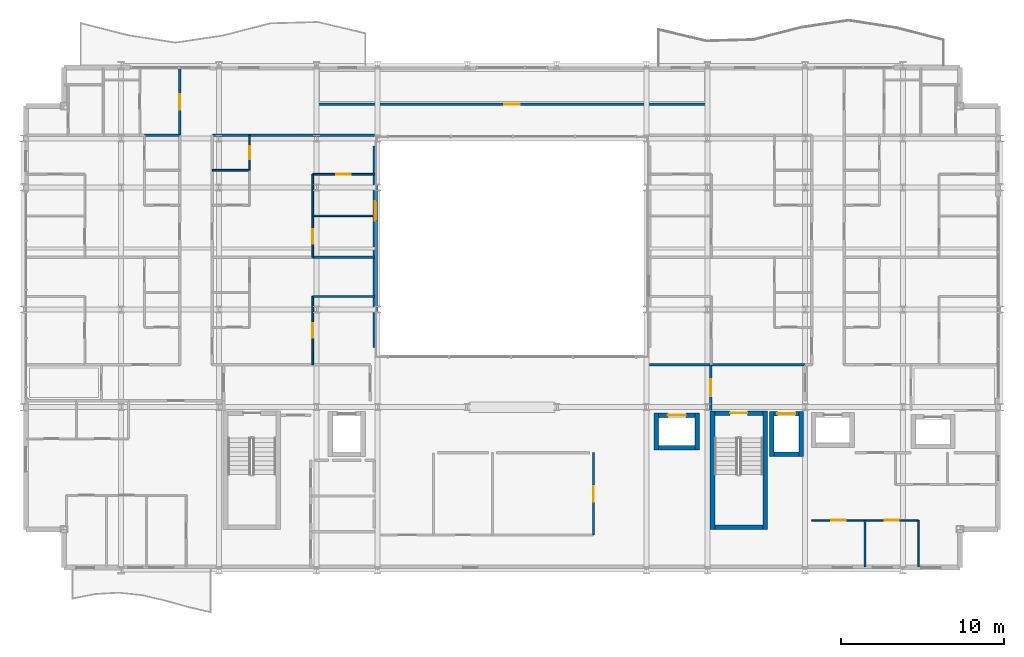
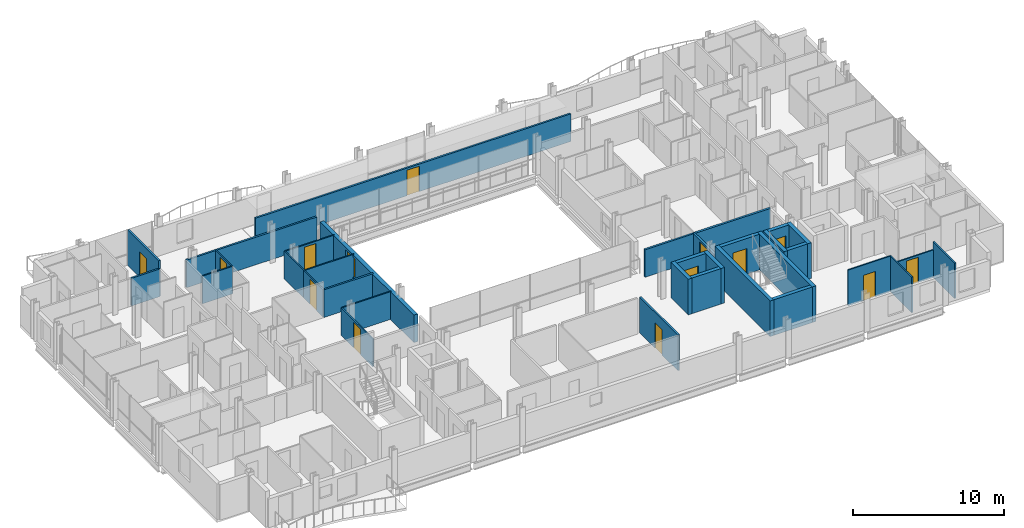
# One storey, part 34 of 40: 35 walls, 13 doors, 1 window, 14 openings.
"""IFC4 building model written with IfcOpenShell, lengths in metres."""

import ifcopenshell
import ifcopenshell.guid

model = None  # the IFC model being written
_history = None  # IfcOwnerHistory: only IFC2X3 demands one
_inside = {}  # id of a spatial element -> (the spatial element, [elements in it])
_under = {}  # id of a project, library or spatial element -> (it, [spatial elements below it])
_declared = {}  # id of a project -> (the project, [libraries it declares])
_typed = {}  # id of a type object -> (the type object, [elements of that type])
_made_of = {}  # id of a material, layer set ... -> (it, [elements and type objects made of it])


def new_model(schema):
    """Start an empty IFC model of exactly this schema.

    Asked for "IFC4X3", IfcOpenShell would pick the latest addendum, in which some entities
    have other attributes; the version numbers below select the first issue.
    IFC2X3 requires an IfcOwnerHistory on every rooted entity: one is made here for all.
    """
    global model, _history
    if schema == "IFC4X3":
        model = ifcopenshell.file(schema_version=(4, 3, 0, 0))
    else:
        model = ifcopenshell.file(schema=schema)
    _inside.clear()
    _under.clear()
    _declared.clear()
    _typed.clear()
    _made_of.clear()
    _history = None
    if model.schema == "IFC2X3":
        org = make("IfcOrganization", Name="unknown")
        user = make(
            "IfcPersonAndOrganization",
            ThePerson=make("IfcPerson", FamilyName="unknown"),
            TheOrganization=org,
        )
        app = make(
            "IfcApplication",
            ApplicationDeveloper=org,
            Version="unknown",
            ApplicationFullName="unknown",
            ApplicationIdentifier="unknown",
        )
        _history = make(
            "IfcOwnerHistory",
            OwningUser=user,
            OwningApplication=app,
            ChangeAction="ADDED",
            CreationDate=0,
        )
    return model


def make(cls, **values):
    """One entity of the class cls with the attributes given. An attribute that is None is left unset."""
    return model.create_entity(
        cls, **{name: value for name, value in values.items() if value is not None}
    )


def rooted(cls, **values):
    """An entity with a GlobalId (a new one), such as an element, a storey or a relation."""
    return make(cls, GlobalId=ifcopenshell.guid.new(), OwnerHistory=_history, **values)


def si_unit(unit_type, name, prefix=None):
    """IfcSIUnit, for example si_unit("LENGTHUNIT", "METRE", prefix="MILLI")."""
    return make("IfcSIUnit", UnitType=unit_type, Prefix=prefix, Name=name)


def assignment(units):
    """IfcUnitAssignment: the units of a project."""
    return None if units is None else make("IfcUnitAssignment", Units=units)


def point(xyz):
    """IfcCartesianPoint."""
    return None if xyz is None else make("IfcCartesianPoint", Coordinates=xyz)


def direction(xyz):
    """IfcDirection."""
    return None if xyz is None else make("IfcDirection", DirectionRatios=xyz)


def frame(location, z_axis=None, x_axis=None):
    """IfcAxis2Placement3D, a coordinate frame: its origin and axes. An axis left out is left unset."""
    return make(
        "IfcAxis2Placement3D",
        Location=point(location),
        Axis=direction(z_axis),
        RefDirection=direction(x_axis),
    )


def frame_2d(location, x_axis=None):
    """IfcAxis2Placement2D, a coordinate frame in the plane: its origin and x axis."""
    return make(
        "IfcAxis2Placement2D", Location=point(location), RefDirection=direction(x_axis)
    )


def origin():
    """The frame at (0, 0, 0) with its axes left unset."""
    return frame((0.0, 0.0, 0.0))


def place(relative_to, where):
    """IfcLocalPlacement: puts the frame where relative to a parent placement (None: the world)."""
    return make(
        "IfcLocalPlacement", PlacementRelTo=relative_to, RelativePlacement=where
    )


def context(
    kind, dimensions, precision=None, world=None, true_north=None, identifier=None
):
    """IfcGeometricRepresentationContext, for example the 3D "Model" context."""
    return make(
        "IfcGeometricRepresentationContext",
        ContextIdentifier=identifier,
        ContextType=kind,
        CoordinateSpaceDimension=dimensions,
        Precision=precision,
        WorldCoordinateSystem=world,
        TrueNorth=true_north,
    )


def subcontext(parent, identifier, kind, view, scale=None):
    """IfcGeometricRepresentationSubContext, for example "Body" below "Model"."""
    return make(
        "IfcGeometricRepresentationSubContext",
        ContextIdentifier=identifier,
        ContextType=kind,
        ParentContext=parent,
        TargetScale=scale,
        TargetView=view,
    )


def project(units=None, contexts=None):
    """IfcProject with its units and contexts."""
    return rooted(
        "IfcProject",
        Name="project",
        RepresentationContexts=contexts,
        UnitsInContext=assignment(units),
    )


def spatial(cls, under=None, at=None, **own):
    """A site, building, storey or space (cls), placed at a placement, below another one or the project."""
    s = rooted(cls, ObjectPlacement=at, **own)
    if under is not None:
        _under.setdefault(under.id(), (under, []))[1].append(s)
    return s


def profile(cls, at=None, kind="AREA", **sizes):
    """A parametric profile (cls). Its sizes go by their IFC names, for example OverallWidth=200.0."""
    return make(cls, ProfileType=kind, Position=at, **sizes)


def rectangle(**sizes):
    """IfcRectangleProfileDef."""
    return profile("IfcRectangleProfileDef", **sizes)


def extrude(swept, where, along, depth):
    """IfcExtrudedAreaSolid: the profile swept, set in the frame where, extruded along a direction by depth."""
    return make(
        "IfcExtrudedAreaSolid",
        SweptArea=swept,
        Position=where,
        ExtrudedDirection=direction(along),
        Depth=depth,
    )


def shape(context_of_items, identifier, shape_type, items):
    """IfcShapeRepresentation: the items that make up one representation, for example the "Body"."""
    return make(
        "IfcShapeRepresentation",
        ContextOfItems=context_of_items,
        RepresentationIdentifier=identifier,
        RepresentationType=shape_type,
        Items=items,
    )


def material(Name=None, Category=None):
    """IfcMaterial."""
    return make("IfcMaterial", Name=Name, Category=Category)


def layer(
    of_material, thickness, ventilated=None, Name=None, Category=None, Priority=None
):
    """IfcMaterialLayer: one layer of a wall or slab, of a material (None: an air gap)."""
    return make(
        "IfcMaterialLayer",
        Material=of_material,
        LayerThickness=thickness,
        IsVentilated=ventilated,
        Name=Name,
        Category=Category,
        Priority=Priority,
    )


def layer_set(layers, Name=None):
    """IfcMaterialLayerSet."""
    return make("IfcMaterialLayerSet", MaterialLayers=layers, LayerSetName=Name)


def made_of(thing, what):
    """Note that an element or type object is made of a material, layer set ...; save() writes the relation."""
    if what is not None:
        _made_of.setdefault(what.id(), (what, []))[1].append(thing)
    return thing


def type_object(cls, material=None, **own):
    """A type object (cls), such as IfcWallType, which elements share."""
    return made_of(rooted(cls, **own), material)


def element(
    cls,
    number,
    at=None,
    inside=None,
    cuts=None,
    type_object=None,
    material=None,
    context=None,
    identifier="Body",
    shape_type=None,
    held_by="IfcProductDefinitionShape",
    body=None,
    shapes=None,
    **own,
):
    """One element of the class cls, such as IfcWall. Its Tag is "e" and its number.

    at: its placement. inside: the storey or other place that contains it. cuts: it is an
    opening in that element (IfcRelVoidsElement). A single representation is given by context,
    identifier, shape_type and body (its items); several are given by shapes. held_by: the class
    of the entity that holds the representations. save() writes the other relations.
    """
    e = rooted(cls, Tag="e%d" % number, ObjectPlacement=at, **own)
    if body is not None:
        shapes = [shape(context, identifier, shape_type, body)]
    if shapes is not None:
        e.Representation = make(held_by, Representations=shapes)
    if inside is not None:
        _inside.setdefault(inside.id(), (inside, []))[1].append(e)
    if cuts is not None:
        rooted(
            "IfcRelVoidsElement", RelatingBuildingElement=cuts, RelatedOpeningElement=e
        )
    if type_object is not None:
        _typed.setdefault(type_object.id(), (type_object, []))[1].append(e)
    return made_of(e, material)


def fill(opening, filler):
    """IfcRelFillsElement: the door or window that sits in an opening."""
    return rooted(
        "IfcRelFillsElement",
        RelatingOpeningElement=opening,
        RelatedBuildingElement=filler,
    )


def aggregate(whole, parts):
    """IfcRelAggregates: a whole, such as a stair, and the parts it consists of."""
    return rooted("IfcRelAggregates", RelatingObject=whole, RelatedObjects=parts)


def save(model, path):
    """Write the relations noted so far, then the file.

    IfcRelAggregates (storeys below a building ...), IfcRelContainedInSpatialStructure (elements
    in a storey), IfcRelDefinesByType, IfcRelAssociatesMaterial and IfcRelDeclares: one each for
    every whole, place, type object, material and project.
    """
    for whole, parts in _under.values():
        aggregate(whole, parts)
    for where, things in _inside.values():
        rooted(
            "IfcRelContainedInSpatialStructure",
            RelatedElements=things,
            RelatingStructure=where,
        )
    for kind, things in _typed.values():
        rooted("IfcRelDefinesByType", RelatedObjects=things, RelatingType=kind)
    for what, things in _made_of.values():
        rooted("IfcRelAssociatesMaterial", RelatedObjects=things, RelatingMaterial=what)
    for by, libraries in _declared.values():
        rooted("IfcRelDeclares", RelatingContext=by, RelatedDefinitions=libraries)
    model.write(path)


model = new_model("IFC4")

# Units and contexts
model_context = context("Model", 3, precision=1e-05, world=origin(), true_north=direction((0.0, 1.0)))
body_context = subcontext(model_context, "Body", "Model", "MODEL_VIEW")
ifc_project = project(units=[si_unit("LENGTHUNIT", "METRE"), si_unit("AREAUNIT", "SQUARE_METRE"), si_unit("VOLUMEUNIT", "CUBIC_METRE"), si_unit("PLANEANGLEUNIT", "RADIAN"), si_unit("MASSUNIT", "GRAM", prefix="KILO")], contexts=[model_context])

# Site, building, storey
site_placement = place(None, origin())
site = spatial("IfcSite", under=ifc_project, at=site_placement, CompositionType="ELEMENT")
building_placement = place(site_placement, origin())
building = spatial("IfcBuilding", under=site, at=building_placement, Name="Brevholm Reach", CompositionType="ELEMENT")
storey_placement = place(building_placement, frame((0.0, 0.0, 80.699951171875)))
storey = spatial("IfcBuildingStorey", under=building, at=storey_placement, Name="L23", CompositionType="ELEMENT", Elevation=80.699951171875)

# Walls
ifc_material_1 = material(Name="Concrete C50/60", Category="concrete")
ifc_layer_1 = layer(ifc_material_1, 0.280029296875)
ifc_layer_set_1 = layer_set([ifc_layer_1], Name="Concrete C50/60")
wall_type_1 = type_object("IfcWallType", Name="WAL-COR-280", PredefinedType="SHEAR", material=ifc_layer_set_1)
for number, where, z_axis, x_axis, name in (
    (1, (42.31005859375, 2.5, 0.0), (0.0, 0.0, 1.0), (0.0, 1.0, 0.0), "L23 Escape Stair ST-2 Core Wall W"),
    (2, (45.5400390625, 2.5, 0.0), (0.0, 0.0, 1.0), (0.0, 1.0, 0.0), "L23 Escape Stair ST-2 Core Wall E"),
):
    element("IfcWall", number, at=place(storey_placement, frame(where, z_axis=z_axis, x_axis=x_axis)), inside=storey, type_object=wall_type_1, Name=name, PredefinedType="SHEAR", context=body_context, shape_type="SweptSolid", body=[
        extrude(rectangle(XDim=7.280029296875, YDim=0.280029296875, at=frame_2d((3.64013671875, 0.0))), origin(), (0.0, 0.0, 1.0), 2.8701171875),
    ])
wall_1_placement = place(storey_placement, frame((42.449951171875, 2.639892578125, 0.0), z_axis=(0.0, 0.0, 1.0), x_axis=(1.0, 0.0, 0.0)))
element("IfcWall", 3, at=wall_1_placement, inside=storey, type_object=wall_type_1, Name="L23 Escape Stair ST-2 Core Wall S", PredefinedType="SHEAR", context=body_context, shape_type="SweptSolid", body=[
    extrude(rectangle(XDim=2.949951171875, YDim=0.280029296875, at=frame_2d((1.47509765625, 0.0))), origin(), (0.0, 0.0, 1.0), 2.8701171875),
])

# Wall, opening, door
wall_2_placement = place(storey_placement, frame((45.39990234375, 9.639892578125, 0.0), z_axis=(0.0, 0.0, 1.0), x_axis=(-1.0, 0.0, 0.0)))
wall_2 = element("IfcWall", 4, at=wall_2_placement, inside=storey, type_object=wall_type_1, Name="L23 Escape Stair ST-2 Core Wall N", PredefinedType="SHEAR", context=body_context, shape_type="SweptSolid", body=[
    extrude(rectangle(XDim=2.949951171875, YDim=0.280029296875, at=frame_2d((1.47509765625, 0.0))), origin(), (0.0, 0.0, 1.0), 2.8701171875),
])
opening_1_placement = place(wall_2_placement, frame((0.949951171875, 0.0, 0.0)))
opening_1 = element("IfcOpeningElement", 5, at=opening_1_placement, cuts=wall_2, Name="Opening SD-ST-2", PredefinedType="OPENING", context=body_context, shape_type="SweptSolid", body=[
    extrude(rectangle(XDim=1.050048828125, YDim=2.06005859375, at=frame_2d((0.52490234375, 1.030029296875))), frame((0.0, 0.14990234375, 0.0), z_axis=(0.0, -1.0, 0.0), x_axis=(1.0, 0.0, 0.0)), (0.0, 0.0, 1.0), 0.300048828125),
])
ifc_material_2 = material(Name="Hardwood-Lipped Steel-Core Fire and Smoke Door", Category="steel")
door_type_1 = type_object("IfcDoorType", Name="DOR-INT-FD60S", OperationType="NOTDEFINED", PredefinedType="DOOR", material=ifc_material_2)
door_1_placement = place(opening_1_placement, origin())
door_1 = element("IfcDoor", 6, at=door_1_placement, inside=storey, type_object=door_type_1, Name="L23 Protected Stair ST-2 Lobby Door", OperationType="SINGLE_SWING_RIGHT", OverallHeight=2.06005859375, OverallWidth=1.050048828125, PredefinedType="DOOR", context=body_context, shape_type="SweptSolid", body=[
    extrude(rectangle(XDim=1.050048828125, YDim=2.06005859375, at=frame_2d((0.52490234375, 1.030029296875))), frame((0.0, 0.02490234375, 0.0), z_axis=(0.0, -1.0, 0.0), x_axis=(1.0, 0.0, 0.0)), (0.0, 0.0, 1.0), 0.050048828125),
])
fill(opening_1, door_1)

# Walls
for number, where, z_axis, x_axis, name in (
    (7, (45.949951171875, 6.9599609375, 0.0), (0.0, 0.0, 1.0), (0.0, 1.0, 0.0), "L23 Lift FFL-2 Shaft Wall W"),
    (8, (47.75, 6.9599609375, 0.0), (0.0, 0.0, 1.0), (0.0, 1.0, 0.0), "L23 Lift FFL-2 Shaft Wall E"),
):
    element("IfcWall", number, at=place(storey_placement, frame(where, z_axis=z_axis, x_axis=x_axis)), inside=storey, type_object=wall_type_1, Name=name, PredefinedType="SHEAR", context=body_context, shape_type="SweptSolid", body=[
        extrude(rectangle(XDim=2.780029296875, YDim=0.280029296875, at=frame_2d((1.39013671875, 0.0))), origin(), (0.0, 0.0, 1.0), 2.8701171875),
    ])
wall_3_placement = place(storey_placement, frame((46.090087890625, 7.10009765625, 0.0), z_axis=(0.0, 0.0, 1.0), x_axis=(1.0, 0.0, 0.0)))
element("IfcWall", 9, at=wall_3_placement, inside=storey, type_object=wall_type_1, Name="L23 Lift FFL-2 Shaft Wall S", PredefinedType="SHEAR", context=body_context, shape_type="SweptSolid", body=[
    extrude(rectangle(XDim=1.52001953125, YDim=0.280029296875, at=frame_2d((0.760009765625, 0.0))), origin(), (0.0, 0.0, 1.0), 2.8701171875),
])

# Wall, opening, door
wall_4_placement = place(storey_placement, frame((46.090087890625, 9.60009765625, 0.0), z_axis=(0.0, 0.0, 1.0), x_axis=(1.0, 0.0, 0.0)))
wall_4 = element("IfcWall", 10, at=wall_4_placement, inside=storey, type_object=wall_type_1, Name="L23 Lift FFL-2 Shaft Wall N", PredefinedType="SHEAR", context=body_context, shape_type="SweptSolid", body=[
    extrude(rectangle(XDim=1.52001953125, YDim=0.280029296875, at=frame_2d((0.760009765625, 0.0))), origin(), (0.0, 0.0, 1.0), 2.8701171875),
])
opening_2_placement = place(wall_4_placement, frame((0.2099609375, 0.0, 0.0)))
opening_2 = element("IfcOpeningElement", 11, at=opening_2_placement, cuts=wall_4, Name="Opening LD-FFL-2", PredefinedType="OPENING", context=body_context, shape_type="SweptSolid", body=[
    extrude(rectangle(XDim=1.10009765625, YDim=2.06005859375, at=frame_2d((0.550048828125, 1.030029296875))), frame((0.0, 0.14990234375, 0.0), z_axis=(0.0, -1.0, 0.0), x_axis=(1.0, 0.0, 0.0)), (0.0, 0.0, 1.0), 0.300048828125),
])
ifc_material_3 = material(Name="Brushed Stainless Steel Fire-Rated Sliding Lift Door", Category="steel")
door_type_2 = type_object("IfcDoorType", Name="DOR-LFT-1100", OperationType="NOTDEFINED", PredefinedType="DOOR", material=ifc_material_3)
door_2_placement = place(opening_2_placement, origin())
door_2 = element("IfcDoor", 12, at=door_2_placement, inside=storey, type_object=door_type_2, Name="L23 Lift FFL-2 Sliding Landing Door", OperationType="SLIDING_TO_RIGHT", OverallHeight=2.06005859375, OverallWidth=1.10009765625, PredefinedType="DOOR", context=body_context, shape_type="SweptSolid", body=[
    extrude(rectangle(XDim=1.10009765625, YDim=2.06005859375, at=frame_2d((0.550048828125, 1.030029296875))), frame((0.0, 0.02490234375, 0.0), z_axis=(0.0, -1.0, 0.0), x_axis=(1.0, 0.0, 0.0)), (0.0, 0.0, 1.0), 0.050048828125),
])
fill(opening_2, door_2)

# Walls
for number, where, z_axis, x_axis, name in (
    (13, (38.8701171875, 7.360107421875, 0.0), (0.0, 0.0, 1.0), (0.0, 1.0, 0.0), "L23 Lift PL-S1 Shaft Wall W"),
    (14, (41.3701171875, 7.360107421875, 0.0), (0.0, 0.0, 1.0), (0.0, 1.0, 0.0), "L23 Lift PL-S1 Shaft Wall E"),
):
    element("IfcWall", number, at=place(storey_placement, frame(where, z_axis=z_axis, x_axis=x_axis)), inside=storey, type_object=wall_type_1, Name=name, PredefinedType="SHEAR", context=body_context, shape_type="SweptSolid", body=[
        extrude(rectangle(XDim=2.27978515625, YDim=0.280029296875, at=frame_2d((1.139892578125, 0.0))), origin(), (0.0, 0.0, 1.0), 2.8701171875),
    ])
wall_5_placement = place(storey_placement, frame((39.010009765625, 7.5, 0.0), z_axis=(0.0, 0.0, 1.0), x_axis=(1.0, 0.0, 0.0)))
element("IfcWall", 15, at=wall_5_placement, inside=storey, type_object=wall_type_1, Name="L23 Lift PL-S1 Shaft Wall S", PredefinedType="SHEAR", context=body_context, shape_type="SweptSolid", body=[
    extrude(rectangle(XDim=2.219970703125, YDim=0.280029296875, at=frame_2d((1.10986328125, 0.0))), origin(), (0.0, 0.0, 1.0), 2.8701171875),
])

# Wall, opening, door
wall_6_placement = place(storey_placement, frame((39.010009765625, 9.5, 0.0), z_axis=(0.0, 0.0, 1.0), x_axis=(1.0, 0.0, 0.0)))
wall_6 = element("IfcWall", 16, at=wall_6_placement, inside=storey, type_object=wall_type_1, Name="L23 Lift PL-S1 Shaft Wall N", PredefinedType="SHEAR", context=body_context, shape_type="SweptSolid", body=[
    extrude(rectangle(XDim=2.219970703125, YDim=0.280029296875, at=frame_2d((1.10986328125, 0.0))), origin(), (0.0, 0.0, 1.0), 2.8701171875),
])
opening_3_placement = place(wall_6_placement, frame((0.56005859375, 0.0, 0.0)))
opening_3 = element("IfcOpeningElement", 17, at=opening_3_placement, cuts=wall_6, Name="Opening LD-PL-S1", PredefinedType="OPENING", context=body_context, shape_type="SweptSolid", body=[
    extrude(rectangle(XDim=1.10009765625, YDim=2.06005859375, at=frame_2d((0.550048828125, 1.030029296875))), frame((0.0, 0.14990234375, 0.0), z_axis=(0.0, -1.0, 0.0), x_axis=(1.0, 0.0, 0.0)), (0.0, 0.0, 1.0), 0.300048828125),
])
door_3_placement = place(opening_3_placement, origin())
door_3 = element("IfcDoor", 18, at=door_3_placement, inside=storey, type_object=door_type_2, Name="L23 Lift PL-S1 Sliding Landing Door", OperationType="SLIDING_TO_LEFT", OverallHeight=2.06005859375, OverallWidth=1.10009765625, PredefinedType="DOOR", context=body_context, shape_type="SweptSolid", body=[
    extrude(rectangle(XDim=1.10009765625, YDim=2.06005859375, at=frame_2d((0.550048828125, 1.030029296875))), frame((0.0, 0.02490234375, 0.0), z_axis=(0.0, -1.0, 0.0), x_axis=(1.0, 0.0, 0.0)), (0.0, 0.0, 1.0), 0.050048828125),
])
fill(opening_3, door_3)

# Wall, opening, window
ifc_material_4 = material(Name="Concrete C40/50", Category="concrete")
ifc_layer_2 = layer(ifc_material_4, 0.300048828125)
ifc_layer_set_2 = layer_set([ifc_layer_2], Name="Concrete C40/50")
wall_type_2 = type_object("IfcWallType", Name="WAL-EXT-300", PredefinedType="STANDARD", material=ifc_layer_set_2)
wall_7_placement = place(storey_placement, frame((21.60009765625, 26.050048828125, 0.0), z_axis=(0.0, 0.0, 1.0), x_axis=(0.0, -1.0, 0.0)))
wall_7 = element("IfcWall", 19, at=wall_7_placement, inside=storey, type_object=wall_type_2, Name="L23 Facade Wall WAL-L23-AT-W", PredefinedType="STANDARD", context=body_context, shape_type="SweptSolid", body=[
    extrude(rectangle(XDim=12.400146484375, YDim=0.300048828125, at=frame_2d((6.2001953125, 0.0))), origin(), (0.0, 0.0, 1.0), 2.224853515625),
])
opening_4_placement = place(wall_7_placement, frame((3.39990234375, 0.0, 0.405029296875)))
opening_4 = element("IfcOpeningElement", 20, at=opening_4_placement, cuts=wall_7, Name="Opening WN-08", PredefinedType="OPENING", context=body_context, shape_type="SweptSolid", body=[
    extrude(rectangle(XDim=1.199951171875, YDim=1.60009765625, at=frame_2d((0.60009765625, 0.800048828125))), frame((0.0, 0.159912109375, 0.0), z_axis=(0.0, -1.0, 0.0), x_axis=(1.0, 0.0, 0.0)), (0.0, 0.0, 1.0), 0.320068359375),
])
ifc_material_5 = material(Name="Dark Anodised Aluminium and Solar-Control IGU Glass", Category="aluminium")
window_type = type_object("IfcWindowType", Name="WIN-RES-1200", PartitioningType="SINGLE_PANEL", PredefinedType="WINDOW", material=ifc_material_5)
window_placement = place(opening_4_placement, origin())
window = element("IfcWindow", 21, at=window_placement, inside=storey, type_object=window_type, Name="L23 Window WIN-L23-AT-W1", OverallHeight=1.60009765625, OverallWidth=1.199951171875, PartitioningType="SINGLE_PANEL", PredefinedType="WINDOW", context=body_context, shape_type="SweptSolid", body=[
    extrude(rectangle(XDim=1.199951171875, YDim=1.60009765625, at=frame_2d((0.60009765625, 0.800048828125))), frame((0.0, 0.030029296875, 0.0), z_axis=(0.0, -1.0, 0.0), x_axis=(1.0, 0.0, 0.0)), (0.0, 0.0, 1.0), 0.06005859375),
])
fill(opening_4, window)

# Wall
ifc_material_6 = material(Name="Moisture-Resistant Acoustic Gypsum Stud Partition 100 mm", Category="gypsum")
ifc_layer_3 = layer(ifc_material_6, 0.10009765625)
ifc_layer_set_3 = layer_set([ifc_layer_3], Name="Moisture-Resistant Acoustic Gypsum Stud Partition 100 mm")
wall_type_3 = type_object("IfcWallType", Name="WAL-PRT-100", PredefinedType="PARTITIONING", material=ifc_layer_set_3)
wall_8_placement = place(storey_placement, frame((51.675048828125, 0.199951171875, 0.0), z_axis=(0.0, 0.0, 1.0), x_axis=(0.0, 1.0, 0.0)))
element("IfcWall", 22, at=wall_8_placement, inside=storey, type_object=wall_type_3, Name="L23 Internal Partition 087", PredefinedType="PARTITIONING", context=body_context, shape_type="SweptSolid", body=[
    extrude(rectangle(XDim=2.85009765625, YDim=0.10009765625, at=frame_2d((1.425048828125, 0.0))), origin(), (0.0, 0.0, 1.0), 2.8701171875),
])

# Wall, opening, door
wall_9_placement = place(storey_placement, frame((48.39990234375, 3.050048828125, 0.0), z_axis=(0.0, 0.0, 1.0), x_axis=(1.0, 0.0, 0.0)))
wall_9 = element("IfcWall", 23, at=wall_9_placement, inside=storey, type_object=wall_type_3, Name="L23 Internal Partition 088", PredefinedType="PARTITIONING", context=body_context, shape_type="SweptSolid", body=[
    extrude(rectangle(XDim=3.275146484375, YDim=0.10009765625, at=frame_2d((1.6376953125, 0.0))), origin(), (0.0, 0.0, 1.0), 2.8701171875),
])
opening_5_placement = place(wall_9_placement, frame((1.197509765625, 0.0, 0.0)))
opening_5 = element("IfcOpeningElement", 24, at=opening_5_placement, cuts=wall_9, Name="Opening ID-01", PredefinedType="OPENING", context=body_context, shape_type="SweptSolid", body=[
    extrude(rectangle(XDim=0.8798828125, YDim=2.0400390625, at=frame_2d((0.43994140625, 1.02001953125))), frame((0.0, 0.06005859375, 0.0), z_axis=(0.0, -1.0, 0.0), x_axis=(1.0, 0.0, 0.0)), (0.0, 0.0, 1.0), 0.1201171875),
])
ifc_material_7 = material(Name="Lacquered Ash Solid-Core Acoustic Internal Door", Category="timber")
door_type_3 = type_object("IfcDoorType", Name="DOR-INT-880", OperationType="NOTDEFINED", PredefinedType="DOOR", material=ifc_material_7)
door_4_placement = place(opening_5_placement, origin())
door_4 = element("IfcDoor", 25, at=door_4_placement, inside=storey, type_object=door_type_3, Name="L23 Internal Door 034", OperationType="SINGLE_SWING_LEFT", OverallHeight=2.0400390625, OverallWidth=0.8798828125, PredefinedType="DOOR", context=body_context, shape_type="SweptSolid", body=[
    extrude(rectangle(XDim=0.8798828125, YDim=2.0400390625, at=frame_2d((0.43994140625, 1.02001953125))), frame((0.0, 0.02490234375, 0.0), z_axis=(0.0, -1.0, 0.0), x_axis=(1.0, 0.0, 0.0)), (0.0, 0.0, 1.0), 0.050048828125),
])
fill(opening_5, door_4)

# Wall
wall_10_placement = place(storey_placement, frame((54.949951171875, 0.199951171875, 0.0), z_axis=(0.0, 0.0, 1.0), x_axis=(0.0, 1.0, 0.0)))
element("IfcWall", 26, at=wall_10_placement, inside=storey, type_object=wall_type_3, Name="L23 Internal Partition 089", PredefinedType="PARTITIONING", context=body_context, shape_type="SweptSolid", body=[
    extrude(rectangle(XDim=2.85009765625, YDim=0.10009765625, at=frame_2d((1.425048828125, 0.0))), origin(), (0.0, 0.0, 1.0), 2.8701171875),
])

# Wall, opening, door
wall_11_placement = place(storey_placement, frame((51.678955078125, 3.050048828125, 0.0), z_axis=(0.0, 0.0, 1.0), x_axis=(1.0, 0.0, 0.0)))
wall_11 = element("IfcWall", 27, at=wall_11_placement, inside=storey, type_object=wall_type_3, Name="L23 Internal Partition 090", PredefinedType="PARTITIONING", context=body_context, shape_type="SweptSolid", body=[
    extrude(rectangle(XDim=3.27099609375, YDim=0.10009765625, at=frame_2d((1.635498046875, 0.0))), origin(), (0.0, 0.0, 1.0), 2.224853515625),
])
opening_6_placement = place(wall_11_placement, frame((1.195556640625, 0.0, 0.0)))
opening_6 = element("IfcOpeningElement", 28, at=opening_6_placement, cuts=wall_11, Name="Opening ID-01", PredefinedType="OPENING", context=body_context, shape_type="SweptSolid", body=[
    extrude(rectangle(XDim=0.8798828125, YDim=2.0400390625, at=frame_2d((0.43994140625, 1.02001953125))), frame((0.0, 0.06005859375, 0.0), z_axis=(0.0, -1.0, 0.0), x_axis=(1.0, 0.0, 0.0)), (0.0, 0.0, 1.0), 0.1201171875),
])
door_5_placement = place(opening_6_placement, origin())
door_5 = element("IfcDoor", 29, at=door_5_placement, inside=storey, type_object=door_type_3, Name="L23 Internal Door 035", OperationType="SINGLE_SWING_RIGHT", OverallHeight=2.0400390625, OverallWidth=0.8798828125, PredefinedType="DOOR", context=body_context, shape_type="SweptSolid", body=[
    extrude(rectangle(XDim=0.8798828125, YDim=2.0400390625, at=frame_2d((0.43994140625, 1.02001953125))), frame((0.0, 0.02490234375, 0.0), z_axis=(0.0, -1.0, 0.0), x_axis=(1.0, 0.0, 0.0)), (0.0, 0.0, 1.0), 0.050048828125),
])
fill(opening_6, door_5)

# Wall
wall_12_placement = place(storey_placement, frame((17.76904296875, 16.800048828125, 0.0), z_axis=(0.0, 0.0, 1.0), x_axis=(1.0, 0.0, 0.0)))
element("IfcWall", 30, at=wall_12_placement, inside=storey, type_object=wall_type_3, Name="L23 Internal Partition 118", PredefinedType="PARTITIONING", context=body_context, shape_type="SweptSolid", body=[
    extrude(rectangle(XDim=3.781005859375, YDim=0.10009765625, at=frame_2d((1.890625, 0.0))), origin(), (0.0, 0.0, 1.0), 2.224853515625),
])

# Wall, opening, door
wall_13_placement = place(storey_placement, frame((17.76904296875, 12.60400390625, 0.0), z_axis=(0.0, 0.0, 1.0), x_axis=(0.0, 1.0, 0.0)))
wall_13 = element("IfcWall", 31, at=wall_13_placement, inside=storey, type_object=wall_type_3, Name="L23 Internal Partition 119", PredefinedType="PARTITIONING", context=body_context, shape_type="SweptSolid", body=[
    extrude(rectangle(XDim=4.196044921875, YDim=0.10009765625, at=frame_2d((2.09814453125, 0.0))), origin(), (0.0, 0.0, 1.0), 2.224853515625),
])
opening_7_placement = place(wall_13_placement, frame((1.657958984375, 0.0, 0.0)))
opening_7 = element("IfcOpeningElement", 32, at=opening_7_placement, cuts=wall_13, Name="Opening ID-01", PredefinedType="OPENING", context=body_context, shape_type="SweptSolid", body=[
    extrude(rectangle(XDim=0.8798828125, YDim=2.0400390625, at=frame_2d((0.43994140625, 1.02001953125))), frame((0.0, 0.06005859375, 0.0), z_axis=(0.0, -1.0, 0.0), x_axis=(1.0, 0.0, 0.0)), (0.0, 0.0, 1.0), 0.1201171875),
])
door_6_placement = place(opening_7_placement, origin())
door_6 = element("IfcDoor", 33, at=door_6_placement, inside=storey, type_object=door_type_3, Name="L23 Internal Door 045", OperationType="SINGLE_SWING_RIGHT", OverallHeight=2.0400390625, OverallWidth=0.8798828125, PredefinedType="DOOR", context=body_context, shape_type="SweptSolid", body=[
    extrude(rectangle(XDim=0.8798828125, YDim=2.0400390625, at=frame_2d((0.43994140625, 1.02001953125))), frame((0.0, 0.02490234375, 0.0), z_axis=(0.0, -1.0, 0.0), x_axis=(1.0, 0.0, 0.0)), (0.0, 0.0, 1.0), 0.050048828125),
])
fill(opening_7, door_6)

# Wall
wall_14_placement = place(storey_placement, frame((11.60400390625, 24.550048828125, 0.0), z_axis=(0.0, 0.0, 1.0), x_axis=(1.0, 0.0, 0.0)))
element("IfcWall", 34, at=wall_14_placement, inside=storey, type_object=wall_type_3, Name="L23 Internal Partition 122", PredefinedType="PARTITIONING", context=body_context, shape_type="SweptSolid", body=[
    extrude(rectangle(XDim=2.284912109375, YDim=0.10009765625, at=frame_2d((1.142578125, 0.0))), origin(), (0.0, 0.0, 1.0), 2.224853515625),
])

# Wall, opening, door
wall_15_placement = place(storey_placement, frame((13.888916015625, 24.550048828125, 0.0), z_axis=(0.0, 0.0, 1.0), x_axis=(0.0, 1.0, 0.0)))
wall_15 = element("IfcWall", 35, at=wall_15_placement, inside=storey, type_object=wall_type_3, Name="L23 Internal Partition 123", PredefinedType="PARTITIONING", context=body_context, shape_type="SweptSolid", body=[
    extrude(rectangle(XDim=2.14599609375, YDim=0.10009765625, at=frame_2d((1.072998046875, 0.0))), origin(), (0.0, 0.0, 1.0), 2.224853515625),
])
opening_8_placement = place(wall_15_placement, frame((0.6630859375, 0.0, 0.0)))
opening_8 = element("IfcOpeningElement", 36, at=opening_8_placement, cuts=wall_15, Name="Opening ID-03", PredefinedType="OPENING", context=body_context, shape_type="SweptSolid", body=[
    extrude(rectangle(XDim=0.820068359375, YDim=2.02001953125, at=frame_2d((0.41015625, 1.010009765625))), frame((0.0, 0.06005859375, 0.0), z_axis=(0.0, -1.0, 0.0), x_axis=(1.0, 0.0, 0.0)), (0.0, 0.0, 1.0), 0.1201171875),
])
ifc_material_8 = material(Name="Moisture-Resistant Painted Timber Internal Bathroom Door", Category="wood")
door_type_4 = type_object("IfcDoorType", Name="DOR-BATH-820", OperationType="NOTDEFINED", PredefinedType="DOOR", material=ifc_material_8)
door_7_placement = place(opening_8_placement, origin())
door_7 = element("IfcDoor", 37, at=door_7_placement, inside=storey, type_object=door_type_4, Name="L23 Internal Door 046", OperationType="SINGLE_SWING_LEFT", OverallHeight=2.02001953125, OverallWidth=0.820068359375, PredefinedType="DOOR", context=body_context, shape_type="SweptSolid", body=[
    extrude(rectangle(XDim=0.820068359375, YDim=2.02001953125, at=frame_2d((0.41015625, 1.010009765625))), frame((0.0, 0.02490234375, 0.0), z_axis=(0.0, -1.0, 0.0), x_axis=(1.0, 0.0, 0.0)), (0.0, 0.0, 1.0), 0.050048828125),
])
fill(opening_8, door_7)

# Wall
wall_16_placement = place(storey_placement, frame((17.76904296875, 21.75, 0.0), z_axis=(0.0, 0.0, 1.0), x_axis=(1.0, 0.0, 0.0)))
element("IfcWall", 38, at=wall_16_placement, inside=storey, type_object=wall_type_3, Name="L23 Internal Partition 126", PredefinedType="PARTITIONING", context=body_context, shape_type="SweptSolid", body=[
    extrude(rectangle(XDim=3.781005859375, YDim=0.10009765625, at=frame_2d((1.890625, 0.0))), origin(), (0.0, 0.0, 1.0), 2.224853515625),
])

# Wall, opening, door
wall_17_placement = place(storey_placement, frame((17.76904296875, 19.2041015625, 0.0), z_axis=(0.0, 0.0, 1.0), x_axis=(0.0, 1.0, 0.0)))
wall_17 = element("IfcWall", 39, at=wall_17_placement, inside=storey, type_object=wall_type_3, Name="L23 Internal Partition 127", PredefinedType="PARTITIONING", context=body_context, shape_type="SweptSolid", body=[
    extrude(rectangle(XDim=2.5458984375, YDim=0.10009765625, at=frame_2d((1.27294921875, 0.0))), origin(), (0.0, 0.0, 1.0), 2.224853515625),
])
opening_9_placement = place(wall_17_placement, frame((0.8330078125, 0.0, 0.0)))
opening_9 = element("IfcOpeningElement", 40, at=opening_9_placement, cuts=wall_17, Name="Opening ID-01", PredefinedType="OPENING", context=body_context, shape_type="SweptSolid", body=[
    extrude(rectangle(XDim=0.8798828125, YDim=2.0400390625, at=frame_2d((0.43994140625, 1.02001953125))), frame((0.0, 0.06005859375, 0.0), z_axis=(0.0, -1.0, 0.0), x_axis=(1.0, 0.0, 0.0)), (0.0, 0.0, 1.0), 0.1201171875),
])
door_8_placement = place(opening_9_placement, origin())
door_8 = element("IfcDoor", 41, at=door_8_placement, inside=storey, type_object=door_type_3, Name="L23 Internal Door 048", OperationType="SINGLE_SWING_LEFT", OverallHeight=2.0400390625, OverallWidth=0.8798828125, PredefinedType="DOOR", context=body_context, shape_type="SweptSolid", body=[
    extrude(rectangle(XDim=0.8798828125, YDim=2.0400390625, at=frame_2d((0.43994140625, 1.02001953125))), frame((0.0, 0.02490234375, 0.0), z_axis=(0.0, -1.0, 0.0), x_axis=(1.0, 0.0, 0.0)), (0.0, 0.0, 1.0), 0.050048828125),
])
fill(opening_9, door_8)

wall_18_placement = place(storey_placement, frame((17.76904296875, 24.300048828125, 0.0), z_axis=(0.0, 0.0, 1.0), x_axis=(1.0, 0.0, 0.0)))
wall_18 = element("IfcWall", 42, at=wall_18_placement, inside=storey, type_object=wall_type_3, Name="L23 Internal Partition 128", PredefinedType="PARTITIONING", context=body_context, shape_type="SweptSolid", body=[
    extrude(rectangle(XDim=3.781005859375, YDim=0.10009765625, at=frame_2d((1.890625, 0.0))), origin(), (0.0, 0.0, 1.0), 2.224853515625),
])
opening_10_placement = place(wall_18_placement, frame((1.450439453125, 0.0, 0.0)))
opening_10 = element("IfcOpeningElement", 43, at=opening_10_placement, cuts=wall_18, Name="Opening ID-01", PredefinedType="OPENING", context=body_context, shape_type="SweptSolid", body=[
    extrude(rectangle(XDim=0.8798828125, YDim=2.0400390625, at=frame_2d((0.43994140625, 1.02001953125))), frame((0.0, 0.06005859375, 0.0), z_axis=(0.0, -1.0, 0.0), x_axis=(1.0, 0.0, 0.0)), (0.0, 0.0, 1.0), 0.1201171875),
])
door_9_placement = place(opening_10_placement, origin())
door_9 = element("IfcDoor", 44, at=door_9_placement, inside=storey, type_object=door_type_3, Name="L23 Internal Door 049", OperationType="SINGLE_SWING_RIGHT", OverallHeight=2.0400390625, OverallWidth=0.8798828125, PredefinedType="DOOR", context=body_context, shape_type="SweptSolid", body=[
    extrude(rectangle(XDim=0.8798828125, YDim=2.0400390625, at=frame_2d((0.43994140625, 1.02001953125))), frame((0.0, 0.02490234375, 0.0), z_axis=(0.0, -1.0, 0.0), x_axis=(1.0, 0.0, 0.0)), (0.0, 0.0, 1.0), 0.050048828125),
])
fill(opening_10, door_9)

# Wall
wall_19_placement = place(storey_placement, frame((17.76904296875, 21.75390625, 0.0), z_axis=(0.0, 0.0, 1.0), x_axis=(0.0, 1.0, 0.0)))
element("IfcWall", 45, at=wall_19_placement, inside=storey, type_object=wall_type_3, Name="L23 Internal Partition 129", PredefinedType="PARTITIONING", context=body_context, shape_type="SweptSolid", body=[
    extrude(rectangle(XDim=2.546142578125, YDim=0.10009765625, at=frame_2d((1.27294921875, 0.0))), origin(), (0.0, 0.0, 1.0), 2.224853515625),
])

# Wall, opening, door
ifc_material_9 = material(Name="Twin-Stud Acoustic Fire-Rated Gypsum Partition 140 mm", Category="gypsum")
ifc_layer_4 = layer(ifc_material_9, 0.139892578125)
ifc_layer_set_4 = layer_set([ifc_layer_4], Name="Twin-Stud Acoustic Fire-Rated Gypsum Partition 140 mm")
wall_type_4 = type_object("IfcWallType", Name="WAL-PRT-140", PredefinedType="PARTITIONING", material=ifc_layer_set_4)
wall_20_placement = place(storey_placement, frame((35.0, 2.142578125, 0.0), z_axis=(0.0, 0.0, 1.0), x_axis=(0.0, 1.0, 0.0)))
wall_20 = element("IfcWall", 46, at=wall_20_placement, inside=storey, type_object=wall_type_4, Name="L23 Internal Partition 001", PredefinedType="PARTITIONING", context=body_context, shape_type="SweptSolid", body=[
    extrude(rectangle(XDim=5.068603515625, YDim=0.139892578125, at=frame_2d((2.5341796875, 0.0))), origin(), (0.0, 0.0, 1.0), 2.8701171875),
])
opening_11_placement = place(wall_20_placement, frame((2.059326171875, 0.0, 0.0)))
opening_11 = element("IfcOpeningElement", 47, at=opening_11_placement, cuts=wall_20, Name="Opening ID-30", PredefinedType="OPENING", context=body_context, shape_type="SweptSolid", body=[
    extrude(rectangle(XDim=0.949951171875, YDim=2.050048828125, at=frame_2d((0.47509765625, 1.02490234375))), frame((0.0, 0.079833984375, 0.0), z_axis=(0.0, -1.0, 0.0), x_axis=(1.0, 0.0, 0.0)), (0.0, 0.0, 1.0), 0.159912109375),
])
ifc_material_10 = material(Name="European Oak Veneered Solid-Core Fire Entrance Door", Category="timber")
door_type_5 = type_object("IfcDoorType", Name="DOR-FLT-FD30S", OperationType="NOTDEFINED", PredefinedType="DOOR", material=ifc_material_10)
door_10_placement = place(opening_11_placement, origin())
door_10 = element("IfcDoor", 48, at=door_10_placement, inside=storey, type_object=door_type_5, Name="L23 Internal Door 001", OperationType="SINGLE_SWING_RIGHT", OverallHeight=2.050048828125, OverallWidth=0.949951171875, PredefinedType="DOOR", context=body_context, shape_type="SweptSolid", body=[
    extrude(rectangle(XDim=0.949951171875, YDim=2.050048828125, at=frame_2d((0.47509765625, 1.02490234375))), frame((0.0, 0.02490234375, 0.0), z_axis=(0.0, -1.0, 0.0), x_axis=(1.0, 0.0, 0.0)), (0.0, 0.0, 1.0), 0.050048828125),
])
fill(opening_11, door_10)

# Wall
wall_21_placement = place(storey_placement, frame((38.438720703125, 12.60009765625, 0.0), z_axis=(0.0, 0.0, 1.0), x_axis=(1.0, 0.0, 0.0)))
element("IfcWall", 49, at=wall_21_placement, inside=storey, type_object=wall_type_4, Name="L23 Internal Partition 030", PredefinedType="PARTITIONING", context=body_context, shape_type="SweptSolid", body=[
    extrude(rectangle(XDim=3.75732421875, YDim=0.139892578125, at=frame_2d((1.878662109375, 0.0))), origin(), (0.0, 0.0, 1.0), 2.224853515625),
])

# Wall, opening, door
wall_22_placement = place(storey_placement, frame((9.60009765625, 26.692626953125, 0.0), z_axis=(0.0, 0.0, 1.0), x_axis=(0.0, 1.0, 0.0)))
wall_22 = element("IfcWall", 50, at=wall_22_placement, inside=storey, type_object=wall_type_4, Name="L23 Internal Partition 045", PredefinedType="PARTITIONING", context=body_context, shape_type="SweptSolid", body=[
    extrude(rectangle(XDim=4.107421875, YDim=0.139892578125, at=frame_2d((2.0537109375, 0.0))), origin(), (0.0, 0.0, 1.0), 2.8701171875),
])
opening_12_placement = place(wall_22_placement, frame((1.57861328125, 0.0, 0.0)))
opening_12 = element("IfcOpeningElement", 51, at=opening_12_placement, cuts=wall_22, Name="Opening ID-30", PredefinedType="OPENING", context=body_context, shape_type="SweptSolid", body=[
    extrude(rectangle(XDim=0.949951171875, YDim=2.050048828125, at=frame_2d((0.47509765625, 1.02490234375))), frame((0.0, 0.079833984375, 0.0), z_axis=(0.0, -1.0, 0.0), x_axis=(1.0, 0.0, 0.0)), (0.0, 0.0, 1.0), 0.159912109375),
])
door_11_placement = place(opening_12_placement, origin())
door_11 = element("IfcDoor", 52, at=door_11_placement, inside=storey, type_object=door_type_5, Name="L23 Internal Door 021", OperationType="SINGLE_SWING_RIGHT", OverallHeight=2.050048828125, OverallWidth=0.949951171875, PredefinedType="DOOR", context=body_context, shape_type="SweptSolid", body=[
    extrude(rectangle(XDim=0.949951171875, YDim=2.050048828125, at=frame_2d((0.47509765625, 1.02490234375))), frame((0.0, 0.02490234375, 0.0), z_axis=(0.0, -1.0, 0.0), x_axis=(1.0, 0.0, 0.0)), (0.0, 0.0, 1.0), 0.050048828125),
])
fill(opening_12, door_11)

# Walls
wall_23_placement = place(storey_placement, frame((11.60400390625, 26.699951171875, 0.0), z_axis=(0.0, 0.0, 1.0), x_axis=(1.0, 0.0, 0.0)))
element("IfcWall", 53, at=wall_23_placement, inside=storey, type_object=wall_type_4, Name="L23 Internal Partition 059", PredefinedType="PARTITIONING", context=body_context, shape_type="SweptSolid", body=[
    extrude(rectangle(XDim=2.29638671875, YDim=0.139892578125, at=frame_2d((1.148193359375, 0.0))), origin(), (0.0, 0.0, 1.0), 2.224853515625),
])
wall_24_placement = place(storey_placement, frame((13.881591796875, 26.699951171875, 0.0), z_axis=(0.0, 0.0, 1.0), x_axis=(1.0, 0.0, 0.0)))
element("IfcWall", 54, at=wall_24_placement, inside=storey, type_object=wall_type_4, Name="L23 Internal Partition 060", PredefinedType="PARTITIONING", context=body_context, shape_type="SweptSolid", body=[
    extrude(rectangle(XDim=7.6796875, YDim=0.139892578125, at=frame_2d((3.83984375, 0.0))), origin(), (0.0, 0.0, 1.0), 2.224853515625),
])

# Wall, opening, door
wall_25_placement = place(storey_placement, frame((17.98876953125, 28.60009765625, 0.0), z_axis=(0.0, 0.0, 1.0), x_axis=(1.0, 0.0, 0.0)))
wall_25 = element("IfcWall", 55, at=wall_25_placement, inside=storey, type_object=wall_type_4, Name="L23 Internal Partition 063", PredefinedType="PARTITIONING", context=body_context, shape_type="SweptSolid", body=[
    extrude(rectangle(XDim=24.0224609375, YDim=0.139892578125, at=frame_2d((12.01123046875, 0.0))), origin(), (0.0, 0.0, 1.0), 2.224853515625),
])
opening_13_placement = place(wall_25_placement, frame((11.536376953125, 0.0, 0.0)))
opening_13 = element("IfcOpeningElement", 56, at=opening_13_placement, cuts=wall_25, Name="Opening ID-30", PredefinedType="OPENING", context=body_context, shape_type="SweptSolid", body=[
    extrude(rectangle(XDim=0.949951171875, YDim=2.050048828125, at=frame_2d((0.47509765625, 1.02490234375))), frame((0.0, 0.079833984375, 0.0), z_axis=(0.0, -1.0, 0.0), x_axis=(1.0, 0.0, 0.0)), (0.0, 0.0, 1.0), 0.159912109375),
])
door_12_placement = place(opening_13_placement, origin())
door_12 = element("IfcDoor", 57, at=door_12_placement, inside=storey, type_object=door_type_5, Name="L23 Internal Door 026", OperationType="SINGLE_SWING_LEFT", OverallHeight=2.050048828125, OverallWidth=0.949951171875, PredefinedType="DOOR", context=body_context, shape_type="SweptSolid", body=[
    extrude(rectangle(XDim=0.949951171875, YDim=2.050048828125, at=frame_2d((0.47509765625, 1.02490234375))), frame((0.0, 0.02490234375, 0.0), z_axis=(0.0, -1.0, 0.0), x_axis=(1.0, 0.0, 0.0)), (0.0, 0.0, 1.0), 0.050048828125),
])
fill(opening_13, door_12)

# Walls
wall_26_placement = place(storey_placement, frame((7.43798828125, 26.699951171875, 0.0), z_axis=(0.0, 0.0, 1.0), x_axis=(1.0, 0.0, 0.0)))
element("IfcWall", 58, at=wall_26_placement, inside=storey, type_object=wall_type_4, Name="L23 Internal Partition 102", PredefinedType="PARTITIONING", context=body_context, shape_type="SweptSolid", body=[
    extrude(rectangle(XDim=2.157958984375, YDim=0.139892578125, at=frame_2d((1.0791015625, 0.0))), origin(), (0.0, 0.0, 1.0), 2.224853515625),
])
wall_27_placement = place(storey_placement, frame((17.7578125, 19.199951171875, 0.0), z_axis=(0.0, 0.0, 1.0), x_axis=(1.0, 0.0, 0.0)))
element("IfcWall", 59, at=wall_27_placement, inside=storey, type_object=wall_type_4, Name="L23 Internal Partition 120", PredefinedType="PARTITIONING", context=body_context, shape_type="SweptSolid", body=[
    extrude(rectangle(XDim=3.792236328125, YDim=0.139892578125, at=frame_2d((1.89599609375, 0.0))), origin(), (0.0, 0.0, 1.0), 2.224853515625),
])

# Wall, opening, door
ifc_material_11 = material(Name="Twin-Frame Fire-Rated Gypsum Board and Mineral Wool 160 mm", Category="gypsum")
ifc_layer_5 = layer(ifc_material_11, 0.159912109375)
ifc_layer_set_5 = layer_set([ifc_layer_5], Name="Twin-Frame Fire-Rated Gypsum Board and Mineral Wool 160 mm")
wall_type_5 = type_object("IfcWallType", Name="WAL-PRT-160", PredefinedType="PARTITIONING", material=ifc_layer_set_5)
wall_28_placement = place(storey_placement, frame((42.199951171875, 9.7900390625, 0.0), z_axis=(0.0, 0.0, 1.0), x_axis=(0.0, 1.0, 0.0)))
wall_28 = element("IfcWall", 60, at=wall_28_placement, inside=storey, type_object=wall_type_5, Name="L23 Internal Partition 022", PredefinedType="PARTITIONING", context=body_context, shape_type="SweptSolid", body=[
    extrude(rectangle(XDim=2.81005859375, YDim=0.159912109375, at=frame_2d((1.405029296875, 0.0))), origin(), (0.0, 0.0, 1.0), 2.224853515625),
])
opening_14_placement = place(wall_28_placement, frame((0.8798828125, 0.0, 0.0)))
opening_14 = element("IfcOpeningElement", 61, at=opening_14_placement, cuts=wall_28, Name="Opening FD-01", PredefinedType="OPENING", context=body_context, shape_type="SweptSolid", body=[
    extrude(rectangle(XDim=1.050048828125, YDim=2.06005859375, at=frame_2d((0.52490234375, 1.030029296875))), frame((0.0, 0.08984375, 0.0), z_axis=(0.0, -1.0, 0.0), x_axis=(1.0, 0.0, 0.0)), (0.0, 0.0, 1.0), 0.179931640625),
])
door_13_placement = place(opening_14_placement, origin())
door_13 = element("IfcDoor", 62, at=door_13_placement, inside=storey, type_object=door_type_1, Name="L23 Internal Door 013", OperationType="SINGLE_SWING_RIGHT", OverallHeight=2.06005859375, OverallWidth=1.050048828125, PredefinedType="DOOR", context=body_context, shape_type="SweptSolid", body=[
    extrude(rectangle(XDim=1.050048828125, YDim=2.06005859375, at=frame_2d((0.52490234375, 1.030029296875))), frame((0.0, 0.02490234375, 0.0), z_axis=(0.0, -1.0, 0.0), x_axis=(1.0, 0.0, 0.0)), (0.0, 0.0, 1.0), 0.050048828125),
])
fill(opening_14, door_13)

# Wall
wall_29_placement = place(storey_placement, frame((42.2236328125, 12.60009765625, 0.0), z_axis=(0.0, 0.0, 1.0), x_axis=(1.0, 0.0, 0.0)))
element("IfcWall", 63, at=wall_29_placement, inside=storey, type_object=wall_type_5, Name="L23 Internal Partition 024", PredefinedType="PARTITIONING", context=body_context, shape_type="SweptSolid", body=[
    extrude(rectangle(XDim=5.7763671875, YDim=0.159912109375, at=frame_2d((2.88818359375, 0.0))), origin(), (0.0, 0.0, 1.0), 2.224853515625),
])

save(model, "model.ifc")
